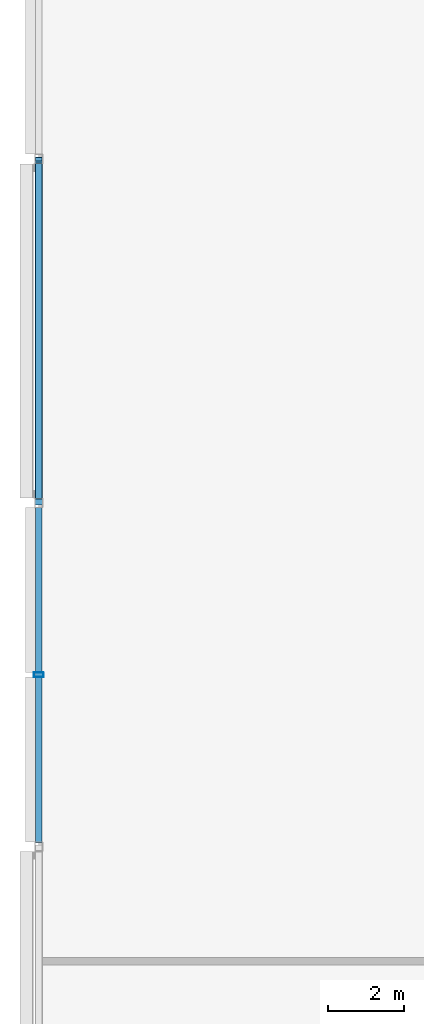
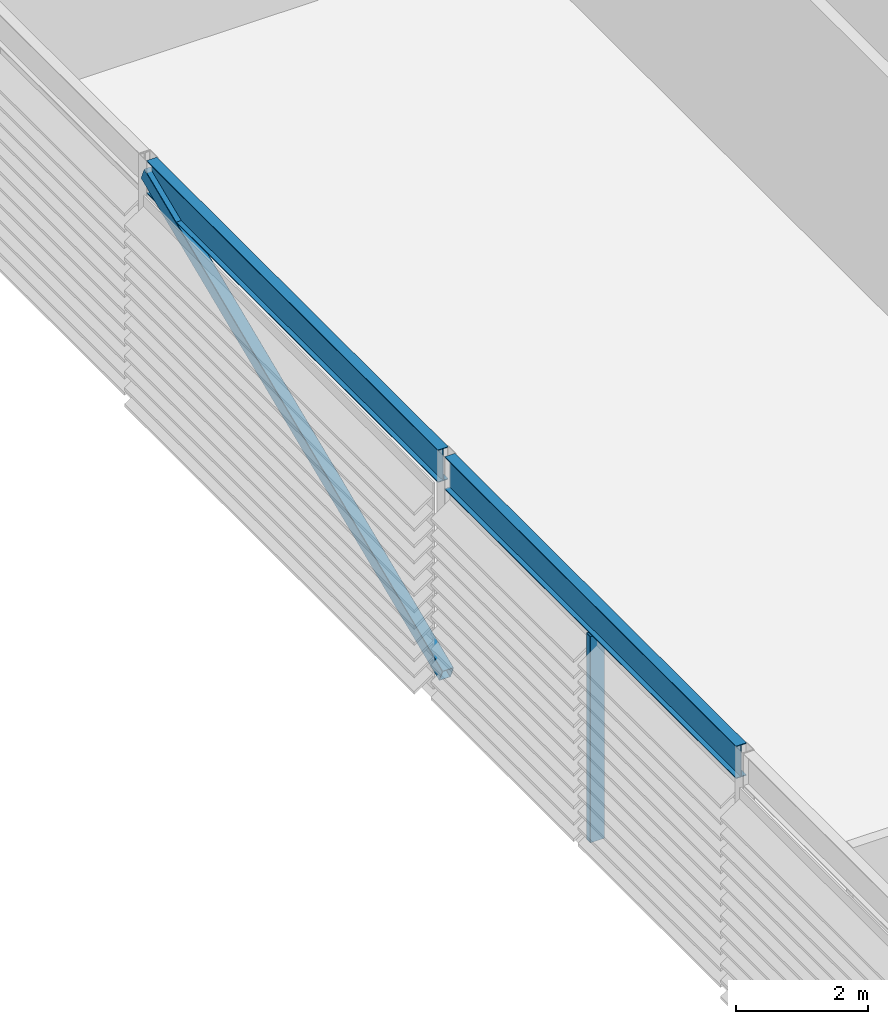
# One storey, part 7 of 27: 2 beams, 2 members.
"""IFC4 building model written with IfcOpenShell, lengths in metres."""

from ifc_helpers import new_model, si_unit, direction, frame, origin, origin_2d, place, context, subcontext, project, spatial, hollow_rectangle, i_section, extrude, material, material_profile, profile_set, type_object, element, save


model = new_model("IFC4")

# Units and contexts
model_context = context("Model", 3, precision=1e-05, world=origin(), true_north=direction((0.0, 1.0)))
body_context = subcontext(model_context, "Body", "Model", "MODEL_VIEW")
ifc_project = project(units=[si_unit("LENGTHUNIT", "METRE"), si_unit("AREAUNIT", "SQUARE_METRE"), si_unit("VOLUMEUNIT", "CUBIC_METRE"), si_unit("PLANEANGLEUNIT", "RADIAN"), si_unit("MASSUNIT", "GRAM", prefix="KILO")], contexts=[model_context])

# Site, building, storey
site_placement = place(None, origin())
site = spatial("IfcSite", under=ifc_project, at=site_placement, CompositionType="ELEMENT")
building_placement = place(site_placement, origin())
building = spatial("IfcBuilding", under=site, at=building_placement, Name="Madar Terraces", CompositionType="ELEMENT")
storey_placement = place(building_placement, frame((0.0, 0.0, 301.10009765625)))
storey = spatial("IfcBuildingStorey", under=building, at=storey_placement, Name="L78", CompositionType="ELEMENT", Elevation=301.10009765625)

# Beams
ifc_material_1 = material(Name="Steel ASTM A992 Grade 50", Category="steel")
ifc_material_profile_1 = material_profile(ifc_material_1, i_section(OverallWidth=0.1787109375, OverallDepth=0.60205078125, WebThickness=0.010986328125, FlangeThickness=0.014892578125, at=origin_2d()), Name="W24x62")
ifc_profile_set_1 = profile_set([ifc_material_profile_1], Name="Steel ASTM A992 Grade 50")
beam_type = type_object("IfcBeamType", Name="CF2 W24x62", PredefinedType="BEAM", material=ifc_profile_set_1)
for number, where, z_axis, x_axis, name in (
    (1, (1.199951171875, 32.8984375, 4.098876953125), (0.0, -1.0, 0.0), (1.0, 0.0, 0.0), "Crown frame ring beam CF2"),
    (2, (1.199951171875, 23.8984375, 4.098876953125), (0.0, -1.0, 0.0), (1.0, 0.0, 0.0), "Crown frame ring beam CF2"),
):
    element("IfcBeam", number, at=place(storey_placement, frame(where, z_axis=z_axis, x_axis=x_axis)), inside=storey, type_object=beam_type, Name=name, PredefinedType="BEAM", context=body_context, shape_type="SweptSolid", body=[
        extrude(i_section(OverallWidth=0.1787109375, OverallDepth=0.60205078125, WebThickness=0.010986328125, FlangeThickness=0.014892578125, at=origin_2d()), origin(), (0.0, 0.0, 1.0), 8.796875),
    ])

# Members
ifc_material_2 = material(Name="Steel ASTM A500 Grade C", Category="steel")
ifc_material_profile_2 = material_profile(ifc_material_2, hollow_rectangle(XDim=0.203125, YDim=0.25390625, WallThickness=0.009521484375, InnerFilletRadius=0.00439453125, OuterFilletRadius=0.01318359375, at=origin_2d()), Name="HSS10x8x.375")
ifc_profile_set_2 = profile_set([ifc_material_profile_2], Name="Steel ASTM A500 Grade C")
member_type_1 = type_object("IfcMemberType", Name="CF5 crown frame brace HSS10x8x.375", PredefinedType="BRACE", material=ifc_profile_set_2)
member_1_placement = place(storey_placement, frame((1.199951171875, 33.0, 4.098876953125), z_axis=(0.0, -0.921283588528, -0.388891436661), x_axis=(1.0, 0.0, 0.0)))
element("IfcMember", 3, at=member_1_placement, inside=storey, type_object=member_type_1, Name="Crown frame brace CF5", PredefinedType="BRACE", context=body_context, shape_type="SweptSolid", body=[
    extrude(hollow_rectangle(XDim=0.203125, YDim=0.25390625, WallThickness=0.009521484375, InnerFilletRadius=0.00439453125, OuterFilletRadius=0.01318359375, at=origin_2d()), origin(), (0.0, 0.0, 1.0), 9.76904296875),
])
ifc_material_3 = material(Name="Steel ASTM A500 Grade C", Category="steel")
ifc_material_profile_3 = material_profile(ifc_material_3, hollow_rectangle(XDim=0.126953125, YDim=0.25390625, WallThickness=0.00634765625, InnerFilletRadius=0.0029296875, OuterFilletRadius=0.0087890625, at=origin_2d()), Name="HSS10x5x.25")
ifc_profile_set_3 = profile_set([ifc_material_profile_3], Name="Steel ASTM A500 Grade C")
member_type_2 = type_object("IfcMemberType", Name="LS2 HSS10x5x.25", PredefinedType="POST", material=ifc_profile_set_3)
member_2_placement = place(storey_placement, frame((1.199951171875, 19.5, 0.0), z_axis=(0.0, 0.0, 1.0), x_axis=(0.0, -1.0, 0.0)))
element("IfcMember", 4, at=member_2_placement, inside=storey, type_object=member_type_2, Name="Crown louvre post LS2", PredefinedType="POST", context=body_context, shape_type="SweptSolid", body=[
    extrude(hollow_rectangle(XDim=0.126953125, YDim=0.25390625, WallThickness=0.00634765625, InnerFilletRadius=0.0029296875, OuterFilletRadius=0.0087890625, at=origin_2d()), origin(), (0.0, 0.0, 1.0), 3.7978515625),
])

save(model, "model.ifc")
